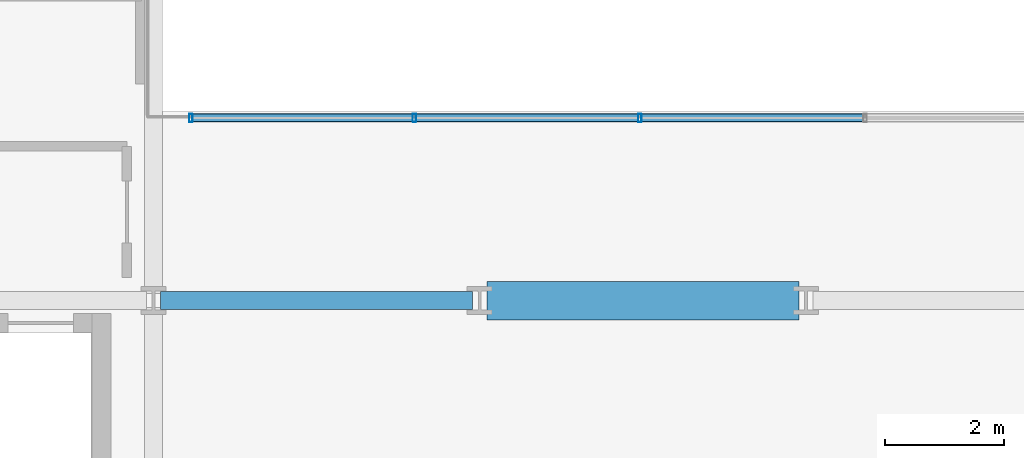
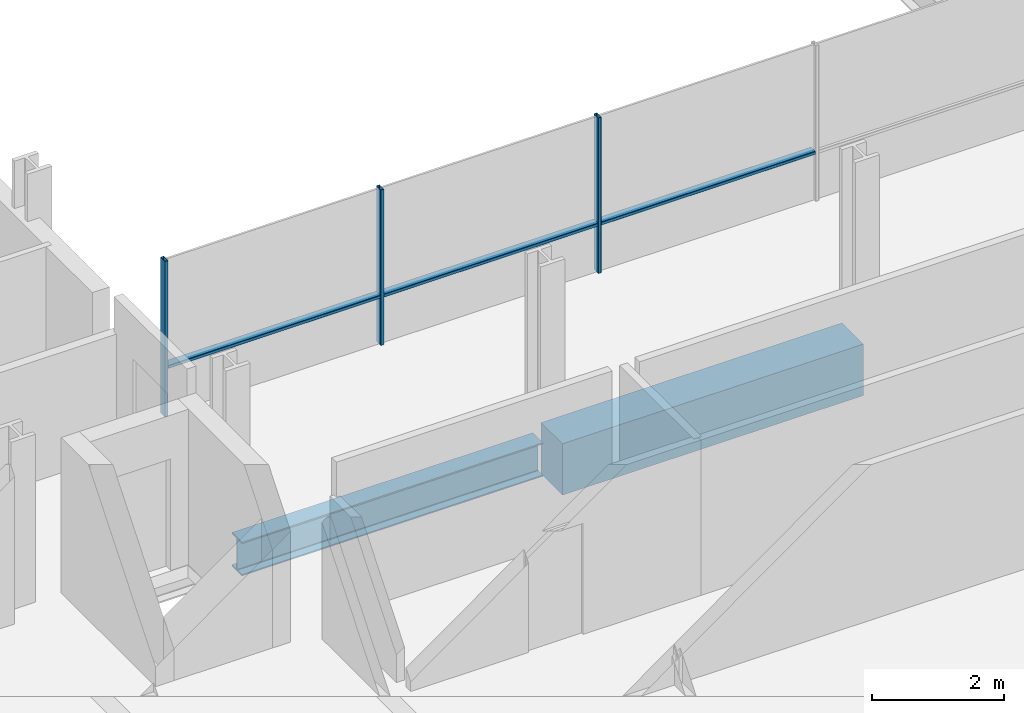
# One storey, part 4 of 41: 6 members, 2 beams, 1 element without a shape of its own.
"""IFC4 building model written with IfcOpenShell, lengths in metres."""

from ifc_helpers import new_model, si_unit, direction, frame, origin, origin_2d, place, context, subcontext, project, spatial, rectangle, hollow_rectangle, i_section, extrude, material, layer, layer_set, material_profile, profile_set, type_object, element, aggregate, save


model = new_model("IFC4")

# Units and contexts
model_context = context("Model", 3, precision=1e-05, world=origin(), true_north=direction((0.0, 1.0)))
body_context = subcontext(model_context, "Body", "Model", "MODEL_VIEW")
ifc_project = project(units=[si_unit("LENGTHUNIT", "METRE"), si_unit("AREAUNIT", "SQUARE_METRE"), si_unit("VOLUMEUNIT", "CUBIC_METRE"), si_unit("PLANEANGLEUNIT", "RADIAN"), si_unit("MASSUNIT", "GRAM", prefix="KILO")], contexts=[model_context])

# Site, building, storey
site_placement = place(None, origin())
site = spatial("IfcSite", under=ifc_project, at=site_placement, CompositionType="ELEMENT")
building_placement = place(site_placement, origin())
building = spatial("IfcBuilding", under=site, at=building_placement, Name="Brevholm Reach", CompositionType="ELEMENT")
storey_placement = place(building_placement, frame((0.0, 0.0, 43.5)))
storey = spatial("IfcBuildingStorey", under=building, at=storey_placement, Name="L11", CompositionType="ELEMENT", Elevation=43.5)

# Beams
ifc_material_1 = material(Name="Concrete C60/75", Category="concrete")
ifc_material_profile_1 = material_profile(ifc_material_1, rectangle(XDim=0.64990234375, YDim=0.949951171875, at=origin_2d()), Name="RC 650x950")
ifc_profile_set_1 = profile_set([ifc_material_profile_1], Name="Concrete C60/75")
beam_type_1 = type_object("IfcBeamType", Name="BM-CB650", PredefinedType="LINTEL", material=ifc_profile_set_1)
beam_1_placement = place(storey_placement, frame((27.3701171875, 10.0, -0.705078125), z_axis=(1.0, 0.0, 0.0), x_axis=(0.0, 1.0, 0.0)))
element("IfcBeam", 1, at=beam_1_placement, inside=storey, type_object=beam_type_1, Name="L11 CB-01 Framing Beam", PredefinedType="LINTEL", context=body_context, shape_type="SweptSolid", body=[
    extrude(rectangle(XDim=0.64990234375, YDim=0.949951171875, at=origin_2d()), origin(), (0.0, 0.0, 1.0), 5.259765625),
])
ifc_material_2 = material(Name="Structural Steel S355J2", Category="steel")
ifc_material_profile_2 = material_profile(ifc_material_2, i_section(OverallWidth=0.30712890625, OverallDepth=0.6201171875, WebThickness=0.01416015625, FlangeThickness=0.023681640625, FilletRadius=0.0166015625, at=origin_2d()), Name="UKB 610x305x179")
ifc_profile_set_2 = profile_set([ifc_material_profile_2], Name="Structural Steel S355J2")
beam_type_2 = type_object("IfcBeamType", Name="BM-UKB610H", PredefinedType="USERDEFINED", material=ifc_profile_set_2)
beam_2_placement = place(storey_placement, frame((21.8701171875, 10.0, -0.5400390625), z_axis=(1.0, 0.0, 0.0), x_axis=(0.0, 1.0, 0.0)))
element("IfcBeam", 2, at=beam_2_placement, inside=storey, type_object=beam_type_2, Name="L11 G-06 Framing Beam", ObjectType="GIRDER", PredefinedType="USERDEFINED", context=body_context, shape_type="SweptSolid", body=[
    extrude(i_section(OverallWidth=0.30712890625, OverallDepth=0.6201171875, WebThickness=0.01416015625, FlangeThickness=0.023681640625, FilletRadius=0.0166015625, at=origin_2d()), origin(), (0.0, 0.0, 1.0), 5.259765625),
])

# Curtain wall, members
ifc_material_3 = material(Name="Dark Anodised Aluminium 6063-T6 and Solar-Control Glass", Category="aluminium")
ifc_layer = layer(ifc_material_3, 0.139892578125)
ifc_layer_set = layer_set([ifc_layer], Name="Dark Anodised Aluminium 6063-T6 and Solar-Control Glass")
curtain_wall_type = type_object("IfcCurtainWallType", Name="CW-02", PredefinedType="NOTDEFINED", material=ifc_layer_set)
curtain_wall_placement = place(storey_placement, origin())
curtain_wall = element("IfcCurtainWall", 3, at=curtain_wall_placement, inside=storey, type_object=curtain_wall_type, Name="L11 Curtain Wall CW-02", PredefinedType="NOTDEFINED")
ifc_material_4 = material(Name="Dark Anodised Aluminium 6063-T6", Category="aluminium")
ifc_material_profile_3 = material_profile(ifc_material_4, hollow_rectangle(XDim=0.06005859375, YDim=0.139892578125, WallThickness=0.0048828125, InnerFilletRadius=0.0048828125, OuterFilletRadius=0.010009765625, at=origin_2d()), Name="RHS 140x60x5")
ifc_profile_set_3 = profile_set([ifc_material_profile_3], Name="Dark Anodised Aluminium 6063-T6")
member_type_1 = type_object("IfcMemberType", Name="CWM-140", PredefinedType="MULLION", material=ifc_profile_set_3)
member_1_placement = place(storey_placement, frame((22.3798828125, 13.080078125, 0.0), z_axis=(0.0, 0.0, 1.0), x_axis=(1.0, 0.0, 0.0)))
member_1 = element("IfcMember", 4, at=member_1_placement, type_object=member_type_1, Name="CM-140 Mullion 1", PredefinedType="MULLION", context=body_context, shape_type="SweptSolid", body=[
    extrude(hollow_rectangle(XDim=0.06005859375, YDim=0.139892578125, WallThickness=0.0048828125, InnerFilletRadius=0.0048828125, OuterFilletRadius=0.010009765625, at=origin_2d()), origin(), (0.0, 0.0, 1.0), 2.8701171875),
])
member_2_placement = place(storey_placement, frame((26.14990234375, 13.080078125, 0.0), z_axis=(0.0, 0.0, 1.0), x_axis=(1.0, 0.0, 0.0)))
member_2 = element("IfcMember", 5, at=member_2_placement, type_object=member_type_1, Name="CM-140 Mullion 2", PredefinedType="MULLION", context=body_context, shape_type="SweptSolid", body=[
    extrude(hollow_rectangle(XDim=0.06005859375, YDim=0.139892578125, WallThickness=0.0048828125, InnerFilletRadius=0.0048828125, OuterFilletRadius=0.010009765625, at=origin_2d()), origin(), (0.0, 0.0, 1.0), 2.8701171875),
])
member_3_placement = place(storey_placement, frame((29.949951171875, 13.080078125, 0.0), z_axis=(0.0, 0.0, 1.0), x_axis=(1.0, 0.0, 0.0)))
member_3 = element("IfcMember", 6, at=member_3_placement, type_object=member_type_1, Name="CM-140 Mullion 3", PredefinedType="MULLION", context=body_context, shape_type="SweptSolid", body=[
    extrude(hollow_rectangle(XDim=0.06005859375, YDim=0.139892578125, WallThickness=0.0048828125, InnerFilletRadius=0.0048828125, OuterFilletRadius=0.010009765625, at=origin_2d()), origin(), (0.0, 0.0, 1.0), 2.8701171875),
])
ifc_material_5 = material(Name="Dark Anodised Aluminium 6063-T6", Category="aluminium")
ifc_material_profile_4 = material_profile(ifc_material_5, hollow_rectangle(XDim=0.06005859375, YDim=0.139892578125, WallThickness=0.0048828125, InnerFilletRadius=0.0048828125, OuterFilletRadius=0.010009765625, at=origin_2d()), Name="RHS 140x60x5")
ifc_profile_set_4 = profile_set([ifc_material_profile_4], Name="Dark Anodised Aluminium 6063-T6")
member_type_2 = type_object("IfcMemberType", Name="CWT-140", PredefinedType="NOTDEFINED", material=ifc_profile_set_4)
member_4_placement = place(storey_placement, frame((22.409912109375, 13.080078125, 0.89990234375), z_axis=(1.0, 0.0, 0.0), x_axis=(0.0, 0.0, 1.0)))
member_4 = element("IfcMember", 7, at=member_4_placement, type_object=member_type_2, Name="CT-140 Transom 1.1", ObjectType="TRANSOM", PredefinedType="USERDEFINED", context=body_context, shape_type="SweptSolid", body=[
    extrude(hollow_rectangle(XDim=0.06005859375, YDim=0.139892578125, WallThickness=0.0048828125, InnerFilletRadius=0.0048828125, OuterFilletRadius=0.010009765625, at=origin_2d()), origin(), (0.0, 0.0, 1.0), 3.710205078125),
])
member_5_placement = place(storey_placement, frame((26.179931640625, 13.080078125, 0.89990234375), z_axis=(1.0, 0.0, 0.0), x_axis=(0.0, 0.0, 1.0)))
member_5 = element("IfcMember", 8, at=member_5_placement, type_object=member_type_2, Name="CT-140 Transom 2.1", ObjectType="TRANSOM", PredefinedType="USERDEFINED", context=body_context, shape_type="SweptSolid", body=[
    extrude(hollow_rectangle(XDim=0.06005859375, YDim=0.139892578125, WallThickness=0.0048828125, InnerFilletRadius=0.0048828125, OuterFilletRadius=0.010009765625, at=origin_2d()), origin(), (0.0, 0.0, 1.0), 3.739990234375),
])
member_6_placement = place(storey_placement, frame((29.97998046875, 13.080078125, 0.89990234375), z_axis=(1.0, 0.0, 0.0), x_axis=(0.0, 0.0, 1.0)))
member_6 = element("IfcMember", 9, at=member_6_placement, type_object=member_type_2, Name="CT-140 Transom 3.1", ObjectType="TRANSOM", PredefinedType="USERDEFINED", context=body_context, shape_type="SweptSolid", body=[
    extrude(hollow_rectangle(XDim=0.06005859375, YDim=0.139892578125, WallThickness=0.0048828125, InnerFilletRadius=0.0048828125, OuterFilletRadius=0.010009765625, at=origin_2d()), origin(), (0.0, 0.0, 1.0), 3.739990234375),
])
aggregate(curtain_wall, [member_1, member_2, member_3, member_4, member_5, member_6])

save(model, "model.ifc")
